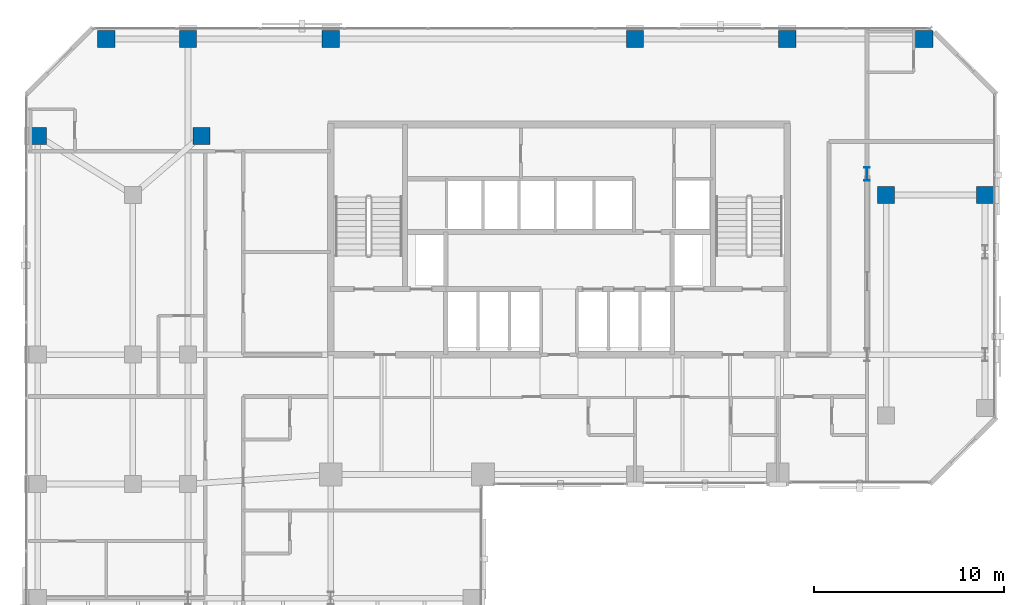
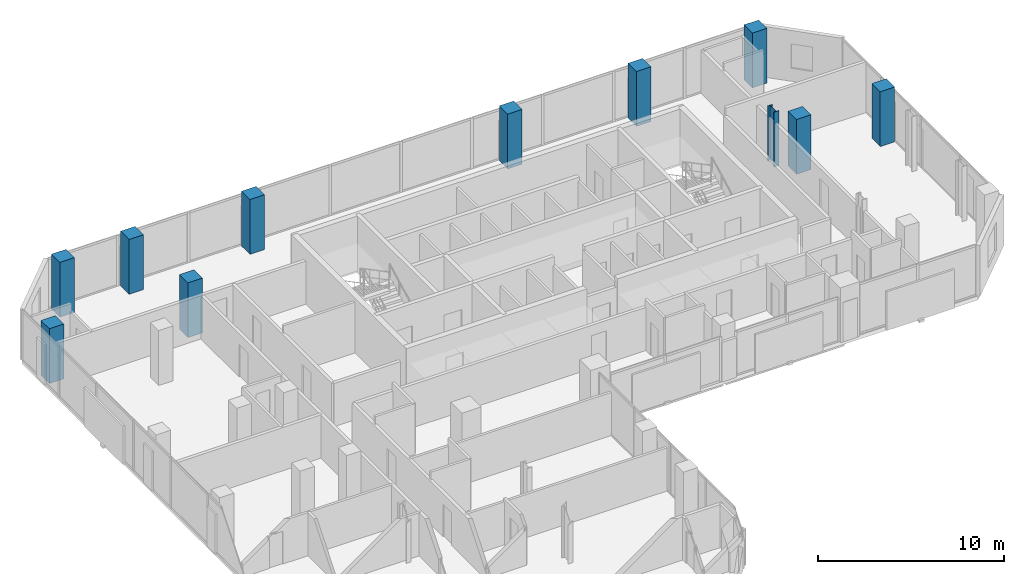
# One storey, part 2 of 35: 11 columns.
"""IFC4 building model written with IfcOpenShell, lengths in metres."""

from ifc_helpers import new_model, si_unit, direction, frame, origin, origin_2d, place, context, subcontext, project, spatial, rectangle, i_section, extrude, material, material_profile, profile_set, type_object, element, save


model = new_model("IFC4")

# Units and contexts
model_context = context("Model", 3, precision=1e-05, world=origin(), true_north=direction((0.0, 1.0)))
body_context = subcontext(model_context, "Body", "Model", "MODEL_VIEW")
ifc_project = project(units=[si_unit("LENGTHUNIT", "METRE"), si_unit("AREAUNIT", "SQUARE_METRE"), si_unit("VOLUMEUNIT", "CUBIC_METRE"), si_unit("PLANEANGLEUNIT", "RADIAN"), si_unit("MASSUNIT", "GRAM", prefix="KILO")], contexts=[model_context])

# Site, building, storey
site_placement = place(None, origin())
site = spatial("IfcSite", under=ifc_project, at=site_placement, CompositionType="ELEMENT")
building_placement = place(site_placement, origin())
building = spatial("IfcBuilding", under=site, at=building_placement, Name="Catumbela Crestline Tower", CompositionType="ELEMENT")
storey_placement = place(building_placement, frame((0.0, 0.0, 90.0)))
storey = spatial("IfcBuildingStorey", under=building, at=storey_placement, Name="L22", CompositionType="ELEMENT", Elevation=90.0)

# Columns
ifc_material_1 = material(Name="Concrete C50/60", Category="concrete")
ifc_material_profile_1 = material_profile(ifc_material_1, rectangle(XDim=0.9, YDim=0.9, at=origin_2d()), Name="RC 900x900")
ifc_profile_set_1 = profile_set([ifc_material_profile_1], Name="Concrete C50/60")
column_type_1 = type_object("IfcColumnType", Name="C-RC900-C50", PredefinedType="COLUMN", material=ifc_profile_set_1)
for number, where, z_axis, x_axis, name in (
    (1, (9.2, 42.3, 0.0), (0.0, 0.0, 1.0), (1.0, 0.0, 0.0), "L22 Column C-08-43 (RC 900x900)"),
    (2, (45.2, 39.2, 0.0), (0.0, 0.0, 1.0), (1.0, 0.0, 0.0), "L22 Column C-46-43 (RC 900x900)"),
    (3, (0.6, 42.3, 0.0), (0.0, 0.0, 1.0), (1.0, 0.0, 0.0), "L22 Column C-00-43 (RC 900x900)"),
    (4, (4.2, 47.4, 0.0), (0.0, 0.0, 1.0), (1.0, 0.0, 0.0), "L22 Column C-00-48 (RC 900x900)"),
    (5, (8.5, 47.4, 0.0), (0.0, 0.0, 1.0), (1.0, 0.0, 0.0), "L22 Column C-08-48 (RC 900x900)"),
    (6, (16.0, 47.4, 0.0), (0.0, 0.0, 1.0), (1.0, 0.0, 0.0), "L22 Column C-16-48 (RC 900x900)"),
    (7, (32.0, 47.4, 0.0), (0.0, 0.0, 1.0), (1.0, 0.0, 0.0), "L22 Column C-32-48 (RC 900x900)"),
    (8, (40.0, 47.4, 0.0), (0.0, 0.0, 1.0), (1.0, 0.0, 0.0), "L22 Column C-40-48 (RC 900x900)"),
    (9, (47.2, 47.4, 0.0), (0.0, 0.0, 1.0), (1.0, 0.0, 0.0), "L22 Column C-48-48 (RC 900x900)"),
    (10, (50.4, 39.2, 0.0), (0.0, 0.0, 1.0), (1.0, 0.0, 0.0), "L22 Column C-51-43 (RC 900x900)"),
):
    element("IfcColumn", number, at=place(storey_placement, frame(where, z_axis=z_axis, x_axis=x_axis)), inside=storey, type_object=column_type_1, Name=name, PredefinedType="COLUMN", context=body_context, shape_type="SweptSolid", body=[
        extrude(rectangle(XDim=0.9, YDim=0.9, at=origin_2d()), origin(), (0.0, 0.0, 1.0), 3.6),
    ])
ifc_material_2 = material(Name="Structural steel S460M", Category="steel")
ifc_material_profile_2 = material_profile(ifc_material_2, i_section(OverallWidth=0.3, OverallDepth=0.7, WebThickness=0.017, FlangeThickness=0.032, FilletRadius=0.027, at=origin_2d()), Name="HEB 700")
ifc_profile_set_2 = profile_set([ifc_material_profile_2], Name="Structural steel S460M")
column_type_2 = type_object("IfcColumnType", Name="C-ST-HEB700", PredefinedType="COLUMN", material=ifc_profile_set_2)
column_placement = place(storey_placement, frame((44.2, 40.3, 0.0), z_axis=(0.0, 0.0, 1.0), x_axis=(1.0, 0.0, 0.0)))
element("IfcColumn", 11, at=column_placement, inside=storey, type_object=column_type_2, Name="L22 Column CT-46-37 (HEB 700)", PredefinedType="COLUMN", context=body_context, shape_type="SweptSolid", body=[
    extrude(i_section(OverallWidth=0.3, OverallDepth=0.7, WebThickness=0.017, FlangeThickness=0.032, FilletRadius=0.027, at=origin_2d()), origin(), (0.0, 0.0, 1.0), 3.6),
])

save(model, "model.ifc")
